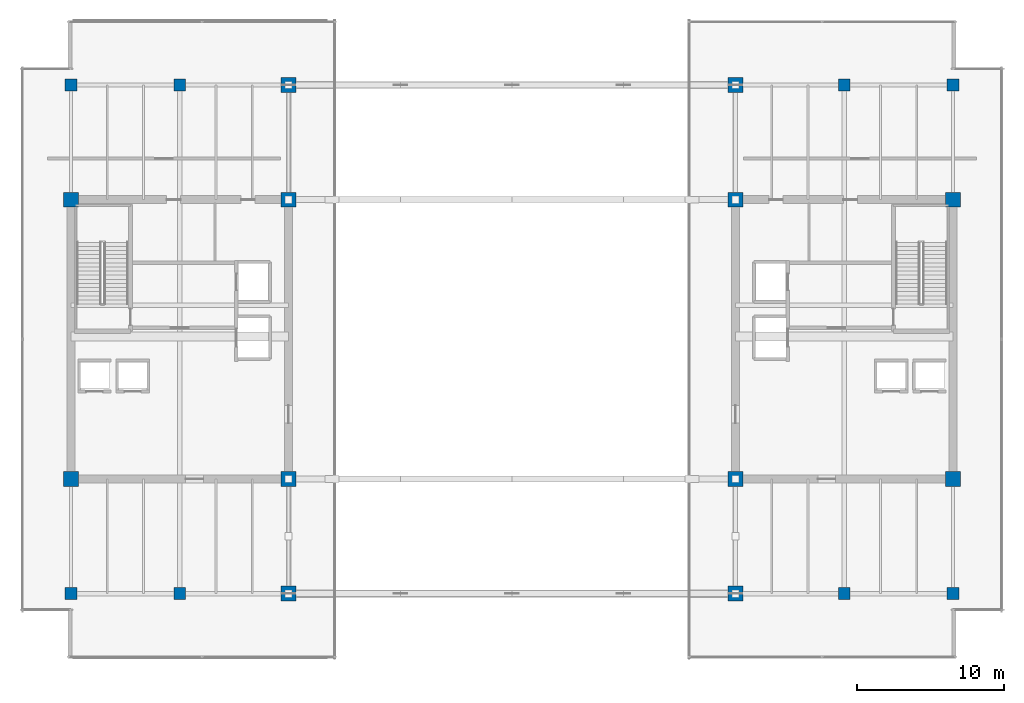
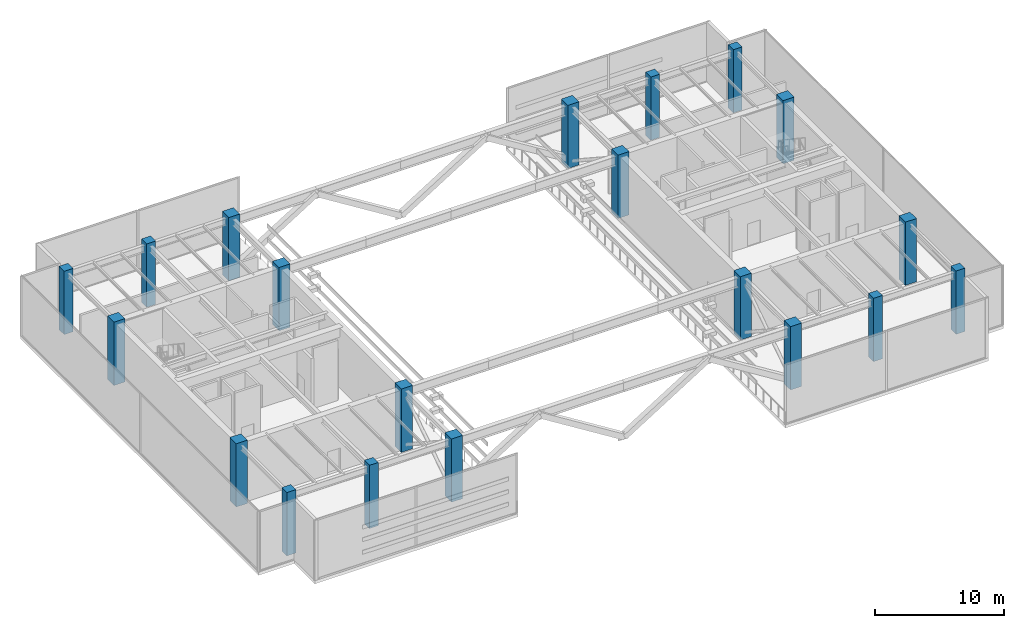
# One storey, part 1 of 30: 20 columns.
"""IFC4 building model written with IfcOpenShell, lengths in metres."""

from ifc_helpers import new_model, si_unit, direction, frame, origin, origin_2d, place, context, subcontext, project, spatial, rectangle, extrude, source, transform, mapped, material, material_profile, profile_set, type_object, type_shapes, element, save


model = new_model("IFC4")

# Units and contexts
model_context = context("Model", 3, precision=1e-05, world=origin(), true_north=direction((0.0, 1.0)))
body_context = subcontext(model_context, "Body", "Model", "MODEL_VIEW")
ifc_project = project(units=[si_unit("LENGTHUNIT", "METRE"), si_unit("AREAUNIT", "SQUARE_METRE"), si_unit("VOLUMEUNIT", "CUBIC_METRE"), si_unit("PLANEANGLEUNIT", "RADIAN"), si_unit("MASSUNIT", "GRAM", prefix="KILO")], contexts=[model_context])

# Site, building, storey
site_placement = place(None, origin())
site = spatial("IfcSite", under=ifc_project, at=site_placement, CompositionType="ELEMENT")
building_placement = place(site_placement, origin())
building = spatial("IfcBuilding", under=site, at=building_placement, Name="Haelvirn Gate Laboratories", CompositionType="ELEMENT")
storey_placement = place(building_placement, frame((0.0, 0.0, 291.60009765625)))
storey = spatial("IfcBuildingStorey", under=building, at=storey_placement, Name="L70", CompositionType="ELEMENT", Elevation=291.60009765625)

# Columns
ifc_material_1 = material(Name="Concrete C50/60", Category="concrete")
ifc_material_profile_1 = material_profile(ifc_material_1, rectangle(XDim=0.800048828125, YDim=0.800048828125, at=origin_2d()), Name="RC-800x800")
ifc_profile_set_1 = profile_set([ifc_material_profile_1], Name="Concrete C50/60")
column_type_1 = type_object("IfcColumnType", Name="COL-RC-800", PredefinedType="COLUMN", material=ifc_profile_set_1)
shared_shape_1 = source(origin(), body_context, "Body", "SweptSolid", [
    extrude(rectangle(XDim=0.800048828125, YDim=0.800048828125, at=origin_2d()), origin(), (0.0, 0.0, 1.0), 6.0),
])
type_shapes(column_type_1, [shared_shape_1])
for number, where, z_axis, x_axis, name in (
    (1, (14.800048828125, 7.0, 0.0), (0.0, 0.0, 1.0), (1.0, 0.0, 0.0), "L70 Column 3B"),
    (2, (14.800048828125, 41.60009765625, 0.0), (0.0, 0.0, 1.0), (1.0, 0.0, 0.0), "L70 Column 3G"),
    (3, (60.0, 7.0, 0.0), (0.0, 0.0, 1.0), (1.0, 0.0, 0.0), "L70 Column 9B"),
    (4, (60.0, 41.60009765625, 0.0), (0.0, 0.0, 1.0), (1.0, 0.0, 0.0), "L70 Column 9G"),
    (5, (7.39990234375, 7.0, 0.0), (0.0, 0.0, 1.0), (1.0, 0.0, 0.0), "L70 Column 2B"),
    (6, (7.39990234375, 41.60009765625, 0.0), (0.0, 0.0, 1.0), (1.0, 0.0, 0.0), "L70 Column 2G"),
    (7, (67.39990234375, 7.0, 0.0), (0.0, 0.0, 1.0), (1.0, 0.0, 0.0), "L70 Column 10B"),
    (8, (67.39990234375, 41.60009765625, 0.0), (0.0, 0.0, 1.0), (1.0, 0.0, 0.0), "L70 Column 10G"),
):
    element("IfcColumn", number, at=place(storey_placement, frame(where, z_axis=z_axis, x_axis=x_axis)), inside=storey, type_object=column_type_1, Name=name, PredefinedType="COLUMN", context=body_context, shape_type="MappedRepresentation", body=[
        mapped(shared_shape_1, transform((0.0, 0.0, 0.0), scale=1.0)),
    ])
ifc_material_2 = material(Name="Concrete C60/75", Category="concrete")
ifc_material_profile_2 = material_profile(ifc_material_2, rectangle(XDim=1.0, YDim=1.0, at=origin_2d()), Name="RC-1000x1000")
ifc_profile_set_2 = profile_set([ifc_material_profile_2], Name="Concrete C60/75")
column_type_2 = type_object("IfcColumnType", Name="COL-RC-1000", PredefinedType="COLUMN", material=ifc_profile_set_2)
shared_shape_2 = source(origin(), body_context, "Body", "SweptSolid", [
    extrude(rectangle(XDim=1.0, YDim=1.0, at=origin_2d()), origin(), (0.0, 0.0, 1.0), 6.0),
])
type_shapes(column_type_2, [shared_shape_2])
for number, where, z_axis, x_axis, name in (
    (9, (22.199951171875, 7.0, 0.0), (0.0, 0.0, 1.0), (1.0, 0.0, 0.0), "L70 Column 4B"),
    (10, (7.39990234375, 14.800048828125, 0.0), (0.0, 0.0, 1.0), (1.0, 0.0, 0.0), "L70 Column 2C"),
    (11, (22.199951171875, 14.800048828125, 0.0), (0.0, 0.0, 1.0), (1.0, 0.0, 0.0), "L70 Column 4C"),
    (12, (7.39990234375, 33.800048828125, 0.0), (0.0, 0.0, 1.0), (1.0, 0.0, 0.0), "L70 Column 2F"),
    (13, (22.199951171875, 33.800048828125, 0.0), (0.0, 0.0, 1.0), (1.0, 0.0, 0.0), "L70 Column 4F"),
    (14, (22.199951171875, 41.60009765625, 0.0), (0.0, 0.0, 1.0), (1.0, 0.0, 0.0), "L70 Column 4G"),
    (15, (52.60009765625, 7.0, 0.0), (0.0, 0.0, 1.0), (1.0, 0.0, 0.0), "L70 Column 8B"),
    (16, (52.60009765625, 14.800048828125, 0.0), (0.0, 0.0, 1.0), (1.0, 0.0, 0.0), "L70 Column 8C"),
    (17, (67.39990234375, 14.800048828125, 0.0), (0.0, 0.0, 1.0), (1.0, 0.0, 0.0), "L70 Column 10C"),
    (18, (52.60009765625, 33.800048828125, 0.0), (0.0, 0.0, 1.0), (1.0, 0.0, 0.0), "L70 Column 8F"),
    (19, (67.39990234375, 33.800048828125, 0.0), (0.0, 0.0, 1.0), (1.0, 0.0, 0.0), "L70 Column 10F"),
    (20, (52.60009765625, 41.60009765625, 0.0), (0.0, 0.0, 1.0), (1.0, 0.0, 0.0), "L70 Column 8G"),
):
    element("IfcColumn", number, at=place(storey_placement, frame(where, z_axis=z_axis, x_axis=x_axis)), inside=storey, type_object=column_type_2, Name=name, PredefinedType="COLUMN", context=body_context, shape_type="MappedRepresentation", body=[
        mapped(shared_shape_2, transform((0.0, 0.0, 0.0), scale=1.0)),
    ])

save(model, "model.ifc")
